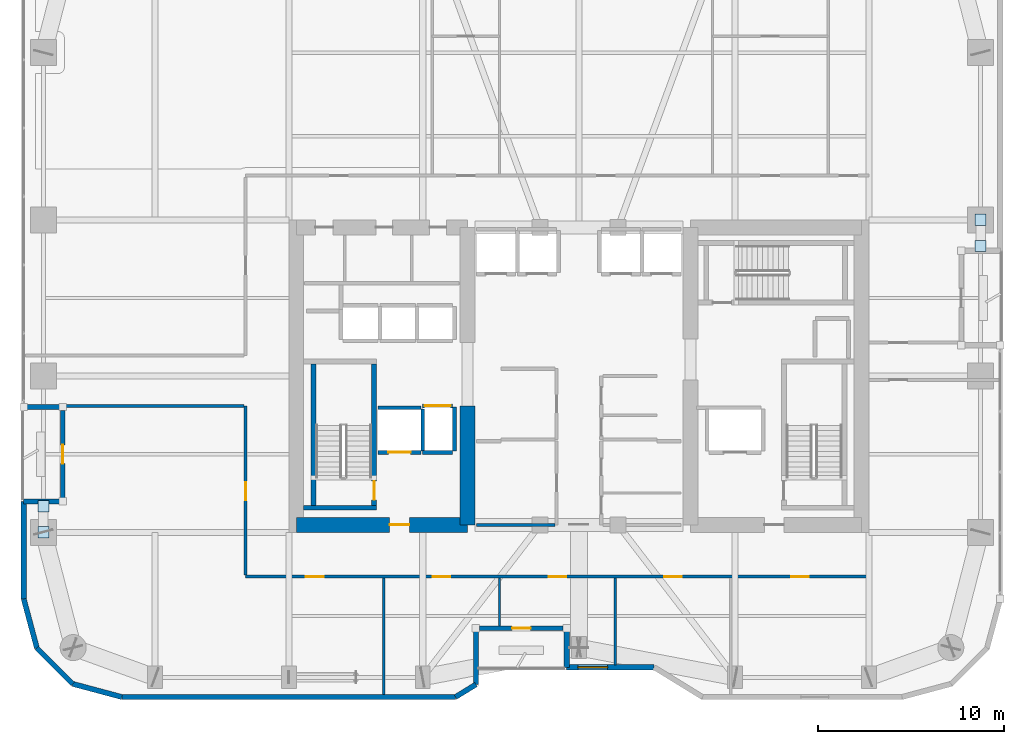
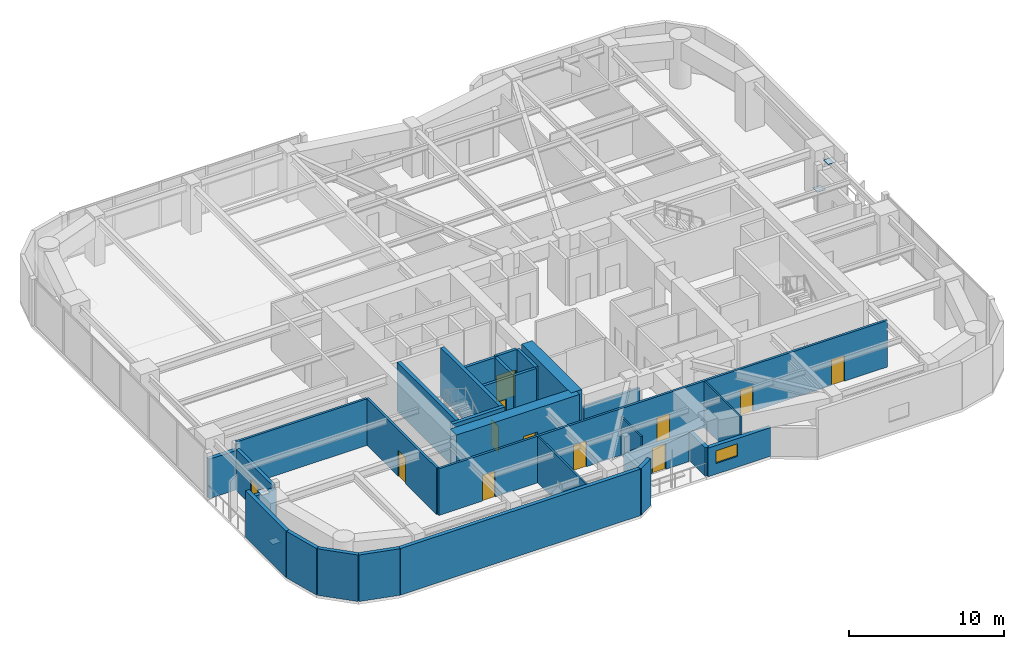
# One storey, part 24 of 30: 31 walls, 12 doors, 4 plates, 1 window, 13 openings.
"""IFC4 building model written with IfcOpenShell, lengths in metres."""

from ifc_helpers import new_model, si_unit, direction, frame, frame_2d, origin, origin_2d, place, context, subcontext, project, spatial, rectangle, extrude, material, layer, layer_set, type_object, element, fill, save


model = new_model("IFC4")

# Units and contexts
model_context = context("Model", 3, precision=1e-05, world=origin(), true_north=direction((0.0, 1.0)))
body_context = subcontext(model_context, "Body", "Model", "MODEL_VIEW")
ifc_project = project(units=[si_unit("LENGTHUNIT", "METRE"), si_unit("AREAUNIT", "SQUARE_METRE"), si_unit("VOLUMEUNIT", "CUBIC_METRE"), si_unit("PLANEANGLEUNIT", "RADIAN"), si_unit("MASSUNIT", "GRAM", prefix="KILO")], contexts=[model_context])

# Site, building, storey
site_placement = place(None, origin())
site = spatial("IfcSite", under=ifc_project, at=site_placement, CompositionType="ELEMENT")
building_placement = place(site_placement, origin())
building = spatial("IfcBuilding", under=site, at=building_placement, Name="Kiyonajd Concourse Tower", CompositionType="ELEMENT")
storey_placement = place(building_placement, frame((0.0, 0.0, 150.60009765625)))
storey = spatial("IfcBuildingStorey", under=building, at=storey_placement, Name="L38", CompositionType="ELEMENT", Elevation=150.60009765625)

# Plates
ifc_material_1 = material(Name="Steel ASTM A572 Grade 50", Category="steel")
ifc_layer_1 = layer(ifc_material_1, 0.028076171875)
ifc_layer_set_1 = layer_set([ifc_layer_1], Name="Steel ASTM A572 Grade 50")
plate_type = type_object("IfcPlateType", Name="PL-CAP-450", PredefinedType="USERDEFINED", material=ifc_layer_set_1)
for number, where, z_axis, x_axis, name in (
    (1, (19.199951171875, 27.595458984375, 0.27587890625), (0.0, 0.0, 1.0), (1.0, 0.0, 0.0), "L38 Hollow Brace End Cap Plate PBW"),
    (2, (19.199951171875, 29.004638671875, 3.32568359375), (0.0, 0.0, 1.0), (1.0, 0.0, 0.0), "L38 Hollow Brace Top Cap Plate PBW"),
    (3, (69.60009765625, 44.404541015625, 0.27587890625), (0.0, 0.0, 1.0), (1.0, 0.0, 0.0), "L38 Hollow Brace End Cap Plate PBE"),
    (4, (69.60009765625, 42.995361328125, 3.32568359375), (0.0, 0.0, 1.0), (1.0, 0.0, 0.0), "L38 Hollow Brace Top Cap Plate PBE"),
):
    element("IfcPlate", number, at=place(storey_placement, frame(where, z_axis=z_axis, x_axis=x_axis)), inside=storey, type_object=plate_type, Name=name, ObjectType="CAP PLATE", PredefinedType="USERDEFINED", context=body_context, shape_type="SweptSolid", body=[
        extrude(rectangle(XDim=0.60791015625, YDim=0.60791015625, at=origin_2d()), origin(), (0.0, 0.0, 1.0), 0.028076171875),
    ])

# Wall
ifc_material_2 = material(Name="Concrete C70/85", Category="concrete")
ifc_layer_2 = layer(ifc_material_2, 0.800048828125)
ifc_layer_set_2 = layer_set([ifc_layer_2], Name="Concrete C70/85")
wall_type_1 = type_object("IfcWallType", Name="WL-CORE-800", PredefinedType="SHEAR", material=ifc_layer_set_2)
wall_1_placement = place(storey_placement, frame((42.0, 28.0, 0.0), z_axis=(0.0, 0.0, 1.0), x_axis=(0.0, 1.0, 0.0)))
element("IfcWall", 5, at=wall_1_placement, inside=storey, type_object=wall_type_1, Name="L38 West Core Inner South Shear Wall", PredefinedType="SHEAR", context=body_context, shape_type="SweptSolid", body=[
    extrude(rectangle(XDim=6.39990234375, YDim=0.800048828125, at=frame_2d((3.199951171875, 0.0))), origin(), (0.0, 0.0, 1.0), 3.89990234375),
])

# Wall, opening, door
wall_2_placement = place(storey_placement, frame((32.800048828125, 28.0, 0.0), z_axis=(0.0, 0.0, 1.0), x_axis=(1.0, 0.0, 0.0)))
wall_2 = element("IfcWall", 6, at=wall_2_placement, inside=storey, type_object=wall_type_1, Name="L38 West Core South Shear Wall", PredefinedType="SHEAR", context=body_context, shape_type="SweptSolid", body=[
    extrude(rectangle(XDim=9.199951171875, YDim=0.800048828125, at=frame_2d((4.60009765625, 0.0))), origin(), (0.0, 0.0, 1.0), 3.89990234375),
])
opening_1_placement = place(wall_2_placement, frame((5.02490234375, 0.0, 0.0)))
opening_1 = element("IfcOpeningElement", 7, at=opening_1_placement, cuts=wall_2, Name="Opening DF5", PredefinedType="OPENING", context=body_context, shape_type="SweptSolid", body=[
    extrude(rectangle(XDim=1.050048828125, YDim=2.0400390625, at=frame_2d((0.52490234375, 1.02001953125))), frame((0.0, 0.409912109375, 0.0), z_axis=(0.0, -1.0, 0.0), x_axis=(1.0, 0.0, 0.0)), (0.0, 0.0, 1.0), 0.820068359375),
])
ifc_material_3 = material(Name="Brushed Stainless Steel Cab Assembly", Category="steel")
door_type_1 = type_object("IfcDoorType", Name="DR-FD45-1050", OperationType="NOTDEFINED", PredefinedType="DOOR", material=ifc_material_3)
door_1_placement = place(opening_1_placement, origin())
door_1 = element("IfcDoor", 8, at=door_1_placement, inside=storey, type_object=door_type_1, Name="L38 Firefighting Lift Lobby W Smoke Door", OperationType="SINGLE_SWING_LEFT", OverallHeight=2.0400390625, OverallWidth=1.050048828125, PredefinedType="DOOR", context=body_context, shape_type="SweptSolid", body=[
    extrude(rectangle(XDim=1.050048828125, YDim=2.0400390625, at=frame_2d((0.52490234375, 1.02001953125))), frame((0.0, 0.02490234375, 0.0), z_axis=(0.0, -1.0, 0.0), x_axis=(1.0, 0.0, 0.0)), (0.0, 0.0, 1.0), 0.050048828125),
])
fill(opening_1, door_1)

# Walls
ifc_material_4 = material(Name="Precast concrete C50/60", Category="concrete")
ifc_layer_3 = layer(ifc_material_4, 0.280029296875)
ifc_layer_set_3 = layer_set([ifc_layer_3], Name="Precast concrete C50/60")
wall_type_2 = type_object("IfcWallType", Name="WL-EXT-280", PredefinedType="SOLIDWALL", material=ifc_layer_set_3)
wall_3_placement = place(storey_placement, frame((18.848388671875, 21.37255859375, 0.0), z_axis=(0.0, 0.0, 1.0), x_axis=(-0.258672222976, 0.9659651552, 0.0)))
element("IfcWall", 9, at=wall_3_placement, inside=storey, type_object=wall_type_2, Name="L38 Exterior Concrete Frame Wall 00", PredefinedType="SOLIDWALL", context=body_context, shape_type="SweptSolid", body=[
    extrude(rectangle(XDim=2.739013671875, YDim=0.280029296875, at=frame_2d((1.36962890625, 0.0))), origin(), (0.0, 0.0, 1.0), 3.679931640625),
])
wall_4_placement = place(storey_placement, frame((18.139892578125, 24.018310546875, 0.0), z_axis=(0.0, 0.0, 1.0), x_axis=(0.0, 1.0, 0.0)))
element("IfcWall", 10, at=wall_4_placement, inside=storey, type_object=wall_type_2, Name="L38 Exterior Concrete Frame Wall 01", PredefinedType="SOLIDWALL", context=body_context, shape_type="SweptSolid", body=[
    extrude(rectangle(XDim=5.24169921875, YDim=0.280029296875, at=frame_2d((2.620849609375, 0.0))), origin(), (0.0, 0.0, 1.0), 3.679931640625),
])
for number, where, z_axis, x_axis, name in (
    (11, (18.139892578125, 29.260009765625, 0.0), (0.0, 0.0, 1.0), (1.0, 0.0, 0.0), "L38 Exterior Concrete Frame Wall 02"),
    (12, (20.239990234375, 34.340087890625, 0.0), (0.0, 0.0, 1.0), (-1.0, 0.0, 0.0), "L38 Exterior Concrete Frame Wall 04"),
):
    element("IfcWall", number, at=place(storey_placement, frame(where, z_axis=z_axis, x_axis=x_axis)), inside=storey, type_object=wall_type_2, Name=name, PredefinedType="SOLIDWALL", context=body_context, shape_type="SweptSolid", body=[
        extrude(rectangle(XDim=2.10009765625, YDim=0.280029296875, at=frame_2d((1.050048828125, 0.0))), origin(), (0.0, 0.0, 1.0), 3.115966796875),
    ])

# Wall, opening, window
wall_5_placement = place(storey_placement, frame((52.03955078125, 20.340087890625, 0.0), z_axis=(0.0, 0.0, 1.0), x_axis=(-1.0, 0.0, 0.0)))
wall_5 = element("IfcWall", 13, at=wall_5_placement, inside=storey, type_object=wall_type_2, Name="L38 Exterior Concrete Frame Wall 30", PredefinedType="SOLIDWALL", context=body_context, shape_type="SweptSolid", body=[
    extrude(rectangle(XDim=4.699462890625, YDim=0.280029296875, at=frame_2d((2.349609375, 0.0))), origin(), (0.0, 0.0, 1.0), 2.264892578125),
])
opening_2_placement = place(wall_5_placement, frame((2.5, 0.0, 0.85009765625)))
opening_2 = element("IfcOpeningElement", 14, at=opening_2_placement, cuts=wall_5, Name="Opening WN6", PredefinedType="OPENING", context=body_context, shape_type="SweptSolid", body=[
    extrude(rectangle(XDim=1.60009765625, YDim=1.0, at=frame_2d((0.800048828125, 0.5))), frame((0.0, 0.14990234375, 0.0), z_axis=(0.0, -1.0, 0.0), x_axis=(1.0, 0.0, 0.0)), (0.0, 0.0, 1.0), 0.300048828125),
])
ifc_material_5 = material(Name="Double Low-E Insulated Glass", Category="glass")
window_type = type_object("IfcWindowType", Name="WN-VIS-1600x1000", PartitioningType="SINGLE_PANEL", PredefinedType="WINDOW", material=ifc_material_5)
window_placement = place(opening_2_placement, origin())
window = element("IfcWindow", 15, at=window_placement, inside=storey, type_object=window_type, Name="L38 Modular Facade Vision Window 30", OverallHeight=1.0, OverallWidth=1.60009765625, PartitioningType="SINGLE_PANEL", PredefinedType="WINDOW", context=body_context, shape_type="SweptSolid", body=[
    extrude(rectangle(XDim=1.60009765625, YDim=1.0, at=frame_2d((0.800048828125, 0.5))), frame((0.0, 0.030029296875, 0.0), z_axis=(0.0, -1.0, 0.0), x_axis=(1.0, 0.0, 0.0)), (0.0, 0.0, 1.0), 0.06005859375),
])
fill(opening_2, window)

# Walls
wall_6_placement = place(storey_placement, frame((47.340087890625, 20.340087890625, 0.0), z_axis=(0.0, 0.0, 1.0), x_axis=(0.0, 1.0, 0.0)))
element("IfcWall", 16, at=wall_6_placement, inside=storey, type_object=wall_type_2, Name="L38 Exterior Concrete Frame Wall 31", PredefinedType="SOLIDWALL", context=body_context, shape_type="SweptSolid", body=[
    extrude(rectangle(XDim=2.099853515625, YDim=0.280029296875, at=frame_2d((1.0498046875, 0.0))), origin(), (0.0, 0.0, 1.0), 2.264892578125),
])
wall_7_placement = place(storey_placement, frame((42.4599609375, 22.43994140625, 0.0), z_axis=(0.0, 0.0, 1.0), x_axis=(0.0, -1.0, 0.0)))
element("IfcWall", 17, at=wall_7_placement, inside=storey, type_object=wall_type_2, Name="L38 Exterior Concrete Frame Wall 33", PredefinedType="SOLIDWALL", context=body_context, shape_type="SweptSolid", body=[
    extrude(rectangle(XDim=3.023681640625, YDim=0.280029296875, at=frame_2d((1.51171875, 0.0))), origin(), (0.0, 0.0, 1.0), 2.264892578125),
])
wall_8_placement = place(storey_placement, frame((42.4599609375, 19.416259765625, 0.0), z_axis=(0.0, 0.0, 1.0), x_axis=(-0.851801140441, -0.523865266212, 0.0)))
element("IfcWall", 18, at=wall_8_placement, inside=storey, type_object=wall_type_2, Name="L38 Exterior Concrete Frame Wall 34", PredefinedType="SOLIDWALL", context=body_context, shape_type="SweptSolid", body=[
    extrude(rectangle(XDim=1.291015625, YDim=0.280029296875, at=frame_2d((0.6455078125, 0.0))), origin(), (0.0, 0.0, 1.0), 3.679931640625),
])
wall_9_placement = place(storey_placement, frame((41.3603515625, 18.739990234375, 0.0), z_axis=(0.0, 0.0, 1.0), x_axis=(-1.0, 0.0, 0.0)))
element("IfcWall", 19, at=wall_9_placement, inside=storey, type_object=wall_type_2, Name="L38 Exterior Concrete Frame Wall 35", PredefinedType="SOLIDWALL", context=body_context, shape_type="SweptSolid", body=[
    extrude(rectangle(XDim=17.94189453125, YDim=0.280029296875, at=frame_2d((8.970947265625, 0.0))), origin(), (0.0, 0.0, 1.0), 3.679931640625),
])
wall_10_placement = place(storey_placement, frame((23.41845703125, 18.739990234375, 0.0), z_axis=(0.0, 0.0, 1.0), x_axis=(-0.965971118627, 0.258649952598, 0.0)))
element("IfcWall", 20, at=wall_10_placement, inside=storey, type_object=wall_type_2, Name="L38 Exterior Concrete Frame Wall 36", PredefinedType="SOLIDWALL", context=body_context, shape_type="SweptSolid", body=[
    extrude(rectangle(XDim=2.7392578125, YDim=0.280029296875, at=frame_2d((1.36962890625, 0.0))), origin(), (0.0, 0.0, 1.0), 3.679931640625),
])
wall_11_placement = place(storey_placement, frame((20.7724609375, 19.448486328125, 0.0), z_axis=(0.0, 0.0, 1.0), x_axis=(-0.707106781187, 0.707106781187, 0.0)))
element("IfcWall", 21, at=wall_11_placement, inside=storey, type_object=wall_type_2, Name="L38 Exterior Concrete Frame Wall 37", PredefinedType="SOLIDWALL", context=body_context, shape_type="SweptSolid", body=[
    extrude(rectangle(XDim=2.720947265625, YDim=0.280029296875, at=frame_2d((1.3603515625, 0.0))), origin(), (0.0, 0.0, 1.0), 3.679931640625),
])

# Wall, opening, door
ifc_layer_4 = layer(ifc_material_4, 0.239990234375)
ifc_layer_set_4 = layer_set([ifc_layer_4], Name="Precast concrete C50/60")
wall_type_3 = type_object("IfcWallType", Name="WL-LOG-240", PredefinedType="SOLIDWALL", material=ifc_layer_set_4)
wall_12_placement = place(storey_placement, frame((20.239990234375, 29.455078125, 0.0), z_axis=(0.0, 0.0, 1.0), x_axis=(0.0, 1.0, 0.0)))
wall_12 = element("IfcWall", 22, at=wall_12_placement, inside=storey, type_object=wall_type_3, Name="L38 Recessed Loggia Thermal Wall LOG-W", PredefinedType="SOLIDWALL", context=body_context, shape_type="SweptSolid", body=[
    extrude(rectangle(XDim=4.68994140625, YDim=0.239990234375, at=frame_2d((2.344970703125, 0.0))), origin(), (0.0, 0.0, 1.0), 3.247802734375),
])
opening_3_placement = place(wall_12_placement, frame((1.844970703125, 0.0, 0.0)))
opening_3 = element("IfcOpeningElement", 23, at=opening_3_placement, cuts=wall_12, Name="Opening DL1", PredefinedType="OPENING", context=body_context, shape_type="SweptSolid", body=[
    extrude(rectangle(XDim=1.0, YDim=2.02001953125, at=frame_2d((0.5, 1.010009765625))), frame((0.0, 0.1298828125, 0.0), z_axis=(0.0, -1.0, 0.0), x_axis=(1.0, 0.0, 0.0)), (0.0, 0.0, 1.0), 0.260009765625),
])
ifc_material_6 = material(Name="Thermally Broken Anodised Aluminium", Category="aluminium")
door_type_2 = type_object("IfcDoorType", Name="DR-LOG-1000", OperationType="NOTDEFINED", PredefinedType="DOOR", material=ifc_material_6)
door_2_placement = place(opening_3_placement, origin())
door_2 = element("IfcDoor", 24, at=door_2_placement, inside=storey, type_object=door_type_2, Name="L38 Engawa Loggia Access Door LOG-W", OperationType="SINGLE_SWING_LEFT", OverallHeight=2.02001953125, OverallWidth=1.0, PredefinedType="DOOR", context=body_context, shape_type="SweptSolid", body=[
    extrude(rectangle(XDim=1.0, YDim=2.02001953125, at=frame_2d((0.5, 1.010009765625))), frame((0.0, 0.02490234375, 0.0), z_axis=(0.0, -1.0, 0.0), x_axis=(1.0, 0.0, 0.0)), (0.0, 0.0, 1.0), 0.050048828125),
])
fill(opening_3, door_2)

wall_13_placement = place(storey_placement, frame((47.14501953125, 22.43994140625, 0.0), z_axis=(0.0, 0.0, 1.0), x_axis=(-1.0, 0.0, 0.0)))
wall_13 = element("IfcWall", 25, at=wall_13_placement, inside=storey, type_object=wall_type_3, Name="L38 Recessed Loggia Thermal Wall LOG-S", PredefinedType="SOLIDWALL", context=body_context, shape_type="SweptSolid", body=[
    extrude(rectangle(XDim=4.489990234375, YDim=0.239990234375, at=frame_2d((2.2451171875, 0.0))), origin(), (0.0, 0.0, 1.0), 2.21484375),
])
opening_4_placement = place(wall_13_placement, frame((1.7451171875, 0.0, 0.0)))
opening_4 = element("IfcOpeningElement", 26, at=opening_4_placement, cuts=wall_13, Name="Opening DL1", PredefinedType="OPENING", context=body_context, shape_type="SweptSolid", body=[
    extrude(rectangle(XDim=1.0, YDim=2.02001953125, at=frame_2d((0.5, 1.010009765625))), frame((0.0, 0.1298828125, 0.0), z_axis=(0.0, -1.0, 0.0), x_axis=(1.0, 0.0, 0.0)), (0.0, 0.0, 1.0), 0.260009765625),
])
door_3_placement = place(opening_4_placement, origin())
door_3 = element("IfcDoor", 27, at=door_3_placement, inside=storey, type_object=door_type_2, Name="L38 Engawa Loggia Access Door LOG-S", OperationType="SINGLE_SWING_RIGHT", OverallHeight=2.02001953125, OverallWidth=1.0, PredefinedType="DOOR", context=body_context, shape_type="SweptSolid", body=[
    extrude(rectangle(XDim=1.0, YDim=2.02001953125, at=frame_2d((0.5, 1.010009765625))), frame((0.0, 0.02490234375, 0.0), z_axis=(0.0, -1.0, 0.0), x_axis=(1.0, 0.0, 0.0)), (0.0, 0.0, 1.0), 0.050048828125),
])
fill(opening_4, door_3)

# Walls
ifc_material_7 = material(Name="Gypsum Board on Cold-Formed Steel Stud", Category="steel")
ifc_layer_5 = layer(ifc_material_7, 0.125)
ifc_layer_set_5 = layer_set([ifc_layer_5], Name="Gypsum Board on Cold-Formed Steel Stud")
wall_type_4 = type_object("IfcWallType", Name="WL-PART-125", PredefinedType="PARTITIONING", material=ifc_layer_set_5)
wall_14_placement = place(storey_placement, frame((37.5, 18.875, 0.0), z_axis=(0.0, 0.0, 1.0), x_axis=(0.0, 1.0, 0.0)))
element("IfcWall", 28, at=wall_14_placement, inside=storey, type_object=wall_type_4, Name="L38 Interior Partition Wall", PredefinedType="PARTITIONING", context=body_context, shape_type="SweptSolid", body=[
    extrude(rectangle(XDim=6.258056640625, YDim=0.125, at=frame_2d((3.12890625, 0.0))), origin(), (0.0, 0.0, 1.0), 3.679931640625),
])
wall_15_placement = place(storey_placement, frame((43.72998046875, 22.554931640625, 0.0), z_axis=(0.0, 0.0, 1.0), x_axis=(0.0, 1.0, 0.0)))
element("IfcWall", 29, at=wall_15_placement, inside=storey, type_object=wall_type_4, Name="L38 Interior Partition Wall", PredefinedType="PARTITIONING", context=body_context, shape_type="SweptSolid", body=[
    extrude(rectangle(XDim=2.578125, YDim=0.125, at=frame_2d((1.2890625, 0.0))), origin(), (0.0, 0.0, 1.0), 3.04296875),
])
wall_16_placement = place(storey_placement, frame((49.949951171875, 20.47509765625, 0.0), z_axis=(0.0, 0.0, 1.0), x_axis=(0.0, 1.0, 0.0)))
element("IfcWall", 30, at=wall_16_placement, inside=storey, type_object=wall_type_4, Name="L38 Interior Partition Wall", PredefinedType="PARTITIONING", context=body_context, shape_type="SweptSolid", body=[
    extrude(rectangle(XDim=4.657958984375, YDim=0.125, at=frame_2d((2.3291015625, 0.0))), origin(), (0.0, 0.0, 1.0), 3.679931640625),
])

# Wall, opening, door
ifc_layer_6 = layer(ifc_material_7, 0.2099609375)
ifc_layer_set_6 = layer_set([ifc_layer_6], Name="Gypsum Board on Cold-Formed Steel Stud")
wall_type_5 = type_object("IfcWallType", Name="WL-SHAFT-210", PredefinedType="PARTITIONING", material=ifc_layer_set_6)
wall_17_placement = place(storey_placement, frame((37.199951171875, 31.89990234375, 0.0), z_axis=(0.0, 0.0, 1.0), x_axis=(1.0, 0.0, 0.0)))
wall_17 = element("IfcWall", 31, at=wall_17_placement, inside=storey, type_object=wall_type_5, Name="L38 Shaft Enclosure Wall", PredefinedType="PARTITIONING", context=body_context, shape_type="SweptSolid", body=[
    extrude(rectangle(XDim=2.300048828125, YDim=0.2099609375, at=frame_2d((1.14990234375, 0.0))), origin(), (0.0, 0.0, 1.0), 3.679931640625),
])
opening_5_placement = place(wall_17_placement, frame((0.550048828125, 0.0, 0.0)))
opening_5 = element("IfcOpeningElement", 32, at=opening_5_placement, cuts=wall_17, Name="Opening LD2", PredefinedType="OPENING", context=body_context, shape_type="SweptSolid", body=[
    extrude(rectangle(XDim=1.199951171875, YDim=2.0400390625, at=frame_2d((0.60009765625, 1.02001953125))), frame((0.0, 0.114990234375, 0.0), z_axis=(0.0, -1.0, 0.0), x_axis=(1.0, 0.0, 0.0)), (0.0, 0.0, 1.0), 0.22998046875),
])
door_type_3 = type_object("IfcDoorType", Name="DR-LD-1200", OperationType="DOUBLE_DOOR_SLIDING", PredefinedType="DOOR", material=ifc_material_3)
door_4_placement = place(opening_5_placement, origin())
door_4 = element("IfcDoor", 33, at=door_4_placement, inside=storey, type_object=door_type_3, Name="L38 Lift FFL1 Sliding Landing Door", OperationType="DOUBLE_DOOR_SLIDING", OverallHeight=2.0400390625, OverallWidth=1.199951171875, PredefinedType="DOOR", context=body_context, shape_type="SweptSolid", body=[
    extrude(rectangle(XDim=1.199951171875, YDim=2.0400390625, at=frame_2d((0.60009765625, 1.02001953125))), frame((0.0, 0.02490234375, 0.0), z_axis=(0.0, -1.0, 0.0), x_axis=(1.0, 0.0, 0.0)), (0.0, 0.0, 1.0), 0.050048828125),
])
fill(opening_5, door_4)

# Walls
wall_18_placement = place(storey_placement, frame((37.199951171875, 34.300048828125, 0.0), z_axis=(0.0, 0.0, 1.0), x_axis=(1.0, 0.0, 0.0)))
element("IfcWall", 34, at=wall_18_placement, inside=storey, type_object=wall_type_5, Name="L38 Shaft Enclosure Wall", PredefinedType="PARTITIONING", context=body_context, shape_type="SweptSolid", body=[
    extrude(rectangle(XDim=2.300048828125, YDim=0.2099609375, at=frame_2d((1.14990234375, 0.0))), origin(), (0.0, 0.0, 1.0), 3.679931640625),
])
wall_19_placement = place(storey_placement, frame((39.60009765625, 31.9599609375, 0.0), z_axis=(0.0, 0.0, 1.0), x_axis=(0.0, 1.0, 0.0)))
element("IfcWall", 35, at=wall_19_placement, inside=storey, type_object=wall_type_5, Name="L38 Shaft Enclosure Wall", PredefinedType="PARTITIONING", context=body_context, shape_type="SweptSolid", body=[
    extrude(rectangle(XDim=2.280029296875, YDim=0.2099609375, at=frame_2d((1.14013671875, 0.0))), origin(), (0.0, 0.0, 1.0), 3.679931640625),
])

# Wall, opening, door
wall_20_placement = place(storey_placement, frame((39.60009765625, 34.39990234375, 0.0), z_axis=(0.0, 0.0, 1.0), x_axis=(1.0, 0.0, 0.0)))
wall_20 = element("IfcWall", 36, at=wall_20_placement, inside=storey, type_object=wall_type_5, Name="L38 Shaft Enclosure Wall", PredefinedType="PARTITIONING", context=body_context, shape_type="SweptSolid", body=[
    extrude(rectangle(XDim=1.599853515625, YDim=0.2099609375, at=frame_2d((0.7998046875, 0.0))), origin(), (0.0, 0.0, 1.0), 3.679931640625),
])
opening_6_placement = place(wall_20_placement, frame((0.10009765625, 0.0, 0.0)))
opening_6 = element("IfcOpeningElement", 37, at=opening_6_placement, cuts=wall_20, Name="Opening LD3", PredefinedType="OPENING", context=body_context, shape_type="SweptSolid", body=[
    extrude(rectangle(XDim=1.39990234375, YDim=2.06005859375, at=frame_2d((0.699951171875, 1.030029296875))), frame((0.0, 0.114990234375, 0.0), z_axis=(0.0, -1.0, 0.0), x_axis=(1.0, 0.0, 0.0)), (0.0, 0.0, 1.0), 0.22998046875),
])
door_type_4 = type_object("IfcDoorType", Name="DR-LD-1400", OperationType="DOUBLE_DOOR_SLIDING", PredefinedType="DOOR", material=ifc_material_3)
door_5_placement = place(opening_6_placement, origin())
door_5 = element("IfcDoor", 38, at=door_5_placement, inside=storey, type_object=door_type_4, Name="L38 Lift SVL1 Sliding Landing Door", OperationType="DOUBLE_DOOR_SLIDING", OverallHeight=2.06005859375, OverallWidth=1.39990234375, PredefinedType="DOOR", context=body_context, shape_type="SweptSolid", body=[
    extrude(rectangle(XDim=1.39990234375, YDim=2.06005859375, at=frame_2d((0.699951171875, 1.030029296875))), frame((0.0, 0.02490234375, 0.0), z_axis=(0.0, -1.0, 0.0), x_axis=(1.0, 0.0, 0.0)), (0.0, 0.0, 1.0), 0.050048828125),
])
fill(opening_6, door_5)

# Walls
wall_21_placement = place(storey_placement, frame((39.60009765625, 31.89990234375, 0.0), z_axis=(0.0, 0.0, 1.0), x_axis=(1.0, 0.0, 0.0)))
element("IfcWall", 39, at=wall_21_placement, inside=storey, type_object=wall_type_5, Name="L38 Shaft Enclosure Wall", PredefinedType="PARTITIONING", context=body_context, shape_type="SweptSolid", body=[
    extrude(rectangle(XDim=1.599853515625, YDim=0.2099609375, at=frame_2d((0.7998046875, 0.0))), origin(), (0.0, 0.0, 1.0), 3.679931640625),
])
wall_22_placement = place(storey_placement, frame((41.300048828125, 31.9599609375, 0.0), z_axis=(0.0, 0.0, 1.0), x_axis=(0.0, 1.0, 0.0)))
element("IfcWall", 40, at=wall_22_placement, inside=storey, type_object=wall_type_5, Name="L38 Shaft Enclosure Wall", PredefinedType="PARTITIONING", context=body_context, shape_type="SweptSolid", body=[
    extrude(rectangle(XDim=2.380126953125, YDim=0.2099609375, at=frame_2d((1.18994140625, 0.0))), origin(), (0.0, 0.0, 1.0), 3.679931640625),
])
ifc_layer_7 = layer(ifc_material_7, 0.169921875)
ifc_layer_set_7 = layer_set([ifc_layer_7], Name="Gypsum Board on Cold-Formed Steel Stud")
wall_type_6 = type_object("IfcWallType", Name="WL-SMK-170", PredefinedType="PARTITIONING", material=ifc_layer_set_7)
wall_23_placement = place(storey_placement, frame((42.5, 28.0, 0.0), z_axis=(0.0, 0.0, 1.0), x_axis=(1.0, 0.0, 0.0)))
element("IfcWall", 41, at=wall_23_placement, inside=storey, type_object=wall_type_6, Name="L38 Interior Partition Wall", PredefinedType="PARTITIONING", context=body_context, shape_type="SweptSolid", body=[
    extrude(rectangle(XDim=4.212890625, YDim=0.169921875, at=frame_2d((2.1064453125, 0.0))), origin(), (0.0, 0.0, 1.0), 2.56494140625),
])

# Wall, openings, doors
wall_24_placement = place(storey_placement, frame((30.074951171875, 25.219970703125, 0.0), z_axis=(0.0, 0.0, 1.0), x_axis=(1.0, 0.0, 0.0)))
wall_24 = element("IfcWall", 42, at=wall_24_placement, inside=storey, type_object=wall_type_6, Name="L38 Interior Partition Wall", PredefinedType="PARTITIONING", context=body_context, shape_type="SweptSolid", body=[
    extrude(rectangle(XDim=33.525146484375, YDim=0.169921875, at=frame_2d((16.7626953125, 0.0))), origin(), (0.0, 0.0, 1.0), 3.679931640625),
])
opening_7_placement = place(wall_24_placement, frame((3.238037109375, 0.0, 0.0)))
opening_7 = element("IfcOpeningElement", 43, at=opening_7_placement, cuts=wall_24, Name="Opening DI1", PredefinedType="OPENING", context=body_context, shape_type="SweptSolid", body=[
    extrude(rectangle(XDim=0.949951171875, YDim=2.0400390625, at=frame_2d((0.47509765625, 1.02001953125))), frame((0.0, 0.094970703125, 0.0), z_axis=(0.0, -1.0, 0.0), x_axis=(1.0, 0.0, 0.0)), (0.0, 0.0, 1.0), 0.18994140625),
])
opening_8_placement = place(wall_24_placement, frame((10.06494140625, 0.0, 0.0)))
opening_8 = element("IfcOpeningElement", 44, at=opening_8_placement, cuts=wall_24, Name="Opening DI1", PredefinedType="OPENING", context=body_context, shape_type="SweptSolid", body=[
    extrude(rectangle(XDim=0.949951171875, YDim=2.0400390625, at=frame_2d((0.47509765625, 1.02001953125))), frame((0.0, 0.094970703125, 0.0), z_axis=(0.0, -1.0, 0.0), x_axis=(1.0, 0.0, 0.0)), (0.0, 0.0, 1.0), 0.18994140625),
])
opening_9_placement = place(wall_24_placement, frame((16.2900390625, 0.0, 0.0)))
opening_9 = element("IfcOpeningElement", 45, at=opening_9_placement, cuts=wall_24, Name="Opening DI1", PredefinedType="OPENING", context=body_context, shape_type="SweptSolid", body=[
    extrude(rectangle(XDim=0.949951171875, YDim=2.0400390625, at=frame_2d((0.47509765625, 1.02001953125))), frame((0.0, 0.094970703125, 0.0), z_axis=(0.0, -1.0, 0.0), x_axis=(1.0, 0.0, 0.0)), (0.0, 0.0, 1.0), 0.18994140625),
])
opening_10_placement = place(wall_24_placement, frame((22.510009765625, 0.0, 0.0)))
opening_10 = element("IfcOpeningElement", 46, at=opening_10_placement, cuts=wall_24, Name="Opening DI1", PredefinedType="OPENING", context=body_context, shape_type="SweptSolid", body=[
    extrude(rectangle(XDim=0.949951171875, YDim=2.0400390625, at=frame_2d((0.47509765625, 1.02001953125))), frame((0.0, 0.094970703125, 0.0), z_axis=(0.0, -1.0, 0.0), x_axis=(1.0, 0.0, 0.0)), (0.0, 0.0, 1.0), 0.18994140625),
])
opening_11_placement = place(wall_24_placement, frame((29.3349609375, 0.0, 0.0)))
opening_11 = element("IfcOpeningElement", 47, at=opening_11_placement, cuts=wall_24, Name="Opening DI1", PredefinedType="OPENING", context=body_context, shape_type="SweptSolid", body=[
    extrude(rectangle(XDim=0.949951171875, YDim=2.0400390625, at=frame_2d((0.47509765625, 1.02001953125))), frame((0.0, 0.094970703125, 0.0), z_axis=(0.0, -1.0, 0.0), x_axis=(1.0, 0.0, 0.0)), (0.0, 0.0, 1.0), 0.18994140625),
])
ifc_material_8 = material(Name="Natural Oak Acoustic Timber Veneer", Category="wood")
door_type_5 = type_object("IfcDoorType", Name="DR-INT-950", OperationType="NOTDEFINED", PredefinedType="DOOR", material=ifc_material_8)
door_6_placement = place(opening_7_placement, origin())
door_6 = element("IfcDoor", 48, at=door_6_placement, inside=storey, type_object=door_type_5, Name="L38 Interior Door", OperationType="SINGLE_SWING_LEFT", OverallHeight=2.0400390625, OverallWidth=0.949951171875, PredefinedType="DOOR", context=body_context, shape_type="SweptSolid", body=[
    extrude(rectangle(XDim=0.949951171875, YDim=2.0400390625, at=frame_2d((0.47509765625, 1.02001953125))), frame((0.0, 0.02490234375, 0.0), z_axis=(0.0, -1.0, 0.0), x_axis=(1.0, 0.0, 0.0)), (0.0, 0.0, 1.0), 0.050048828125),
])
fill(opening_7, door_6)
door_7_placement = place(opening_8_placement, origin())
door_7 = element("IfcDoor", 49, at=door_7_placement, inside=storey, type_object=door_type_5, Name="L38 Interior Door", OperationType="SINGLE_SWING_RIGHT", OverallHeight=2.0400390625, OverallWidth=0.949951171875, PredefinedType="DOOR", context=body_context, shape_type="SweptSolid", body=[
    extrude(rectangle(XDim=0.949951171875, YDim=2.0400390625, at=frame_2d((0.47509765625, 1.02001953125))), frame((0.0, 0.02490234375, 0.0), z_axis=(0.0, -1.0, 0.0), x_axis=(1.0, 0.0, 0.0)), (0.0, 0.0, 1.0), 0.050048828125),
])
fill(opening_8, door_7)
door_8_placement = place(opening_9_placement, origin())
door_8 = element("IfcDoor", 50, at=door_8_placement, inside=storey, type_object=door_type_5, Name="L38 Interior Door", OperationType="SINGLE_SWING_LEFT", OverallHeight=2.0400390625, OverallWidth=0.949951171875, PredefinedType="DOOR", context=body_context, shape_type="SweptSolid", body=[
    extrude(rectangle(XDim=0.949951171875, YDim=2.0400390625, at=frame_2d((0.47509765625, 1.02001953125))), frame((0.0, 0.02490234375, 0.0), z_axis=(0.0, -1.0, 0.0), x_axis=(1.0, 0.0, 0.0)), (0.0, 0.0, 1.0), 0.050048828125),
])
fill(opening_9, door_8)
door_9_placement = place(opening_10_placement, origin())
door_9 = element("IfcDoor", 51, at=door_9_placement, inside=storey, type_object=door_type_5, Name="L38 Interior Door", OperationType="SINGLE_SWING_RIGHT", OverallHeight=2.0400390625, OverallWidth=0.949951171875, PredefinedType="DOOR", context=body_context, shape_type="SweptSolid", body=[
    extrude(rectangle(XDim=0.949951171875, YDim=2.0400390625, at=frame_2d((0.47509765625, 1.02001953125))), frame((0.0, 0.02490234375, 0.0), z_axis=(0.0, -1.0, 0.0), x_axis=(1.0, 0.0, 0.0)), (0.0, 0.0, 1.0), 0.050048828125),
])
fill(opening_10, door_9)
door_10_placement = place(opening_11_placement, origin())
door_10 = element("IfcDoor", 52, at=door_10_placement, inside=storey, type_object=door_type_5, Name="L38 Interior Door", OperationType="SINGLE_SWING_LEFT", OverallHeight=2.0400390625, OverallWidth=0.949951171875, PredefinedType="DOOR", context=body_context, shape_type="SweptSolid", body=[
    extrude(rectangle(XDim=0.949951171875, YDim=2.0400390625, at=frame_2d((0.47509765625, 1.02001953125))), frame((0.0, 0.02490234375, 0.0), z_axis=(0.0, -1.0, 0.0), x_axis=(1.0, 0.0, 0.0)), (0.0, 0.0, 1.0), 0.050048828125),
])
fill(opening_11, door_10)

# Wall, opening, door
wall_25_placement = place(storey_placement, frame((30.074951171875, 25.306884765625, 0.0), z_axis=(0.0, 0.0, 1.0), x_axis=(0.0, 1.0, 0.0)))
wall_25 = element("IfcWall", 53, at=wall_25_placement, inside=storey, type_object=wall_type_6, Name="L38 Interior Partition Wall", PredefinedType="PARTITIONING", context=body_context, shape_type="SweptSolid", body=[
    extrude(rectangle(XDim=9.093017578125, YDim=0.169921875, at=frame_2d((4.54638671875, 0.0))), origin(), (0.0, 0.0, 1.0), 3.679931640625),
])
opening_12_placement = place(wall_25_placement, frame((4.028076171875, 0.0, 0.0)))
opening_12 = element("IfcOpeningElement", 54, at=opening_12_placement, cuts=wall_25, Name="Opening DI1", PredefinedType="OPENING", context=body_context, shape_type="SweptSolid", body=[
    extrude(rectangle(XDim=0.949951171875, YDim=2.0400390625, at=frame_2d((0.47509765625, 1.02001953125))), frame((0.0, 0.094970703125, 0.0), z_axis=(0.0, -1.0, 0.0), x_axis=(1.0, 0.0, 0.0)), (0.0, 0.0, 1.0), 0.18994140625),
])
door_11_placement = place(opening_12_placement, origin())
door_11 = element("IfcDoor", 55, at=door_11_placement, inside=storey, type_object=door_type_5, Name="L38 Interior Door", OperationType="SINGLE_SWING_LEFT", OverallHeight=2.0400390625, OverallWidth=0.949951171875, PredefinedType="DOOR", context=body_context, shape_type="SweptSolid", body=[
    extrude(rectangle(XDim=0.949951171875, YDim=2.0400390625, at=frame_2d((0.47509765625, 1.02001953125))), frame((0.0, 0.02490234375, 0.0), z_axis=(0.0, -1.0, 0.0), x_axis=(1.0, 0.0, 0.0)), (0.0, 0.0, 1.0), 0.050048828125),
])
fill(opening_12, door_11)

# Walls
wall_26_placement = place(storey_placement, frame((20.239990234375, 34.39990234375, 0.0), z_axis=(0.0, 0.0, 1.0), x_axis=(1.0, 0.0, 0.0)))
element("IfcWall", 56, at=wall_26_placement, inside=storey, type_object=wall_type_6, Name="L38 Interior Partition Wall", PredefinedType="PARTITIONING", context=body_context, shape_type="SweptSolid", body=[
    extrude(rectangle(XDim=9.748046875, YDim=0.169921875, at=frame_2d((4.8740234375, 0.0))), origin(), (0.0, 0.0, 1.0), 3.679931640625),
])
ifc_material_9 = material(Name="Concrete C50/60", Category="concrete")
ifc_layer_8 = layer(ifc_material_9, 0.260009765625)
ifc_layer_set_8 = layer_set([ifc_layer_8], Name="Concrete C50/60")
wall_type_7 = type_object("IfcWallType", Name="WL-STAIR-260", PredefinedType="SHEAR", material=ifc_layer_set_8)
wall_27_placement = place(storey_placement, frame((33.199951171875, 28.919921875, 0.0), z_axis=(0.0, 0.0, 1.0), x_axis=(1.0, 0.0, 0.0)))
element("IfcWall", 57, at=wall_27_placement, inside=storey, type_object=wall_type_7, Name="L38 Stair ST1 Structural South Wall", PredefinedType="SHEAR", context=body_context, shape_type="SweptSolid", body=[
    extrude(rectangle(XDim=3.91015625, YDim=0.260009765625, at=frame_2d((1.955078125, 0.0))), origin(), (0.0, 0.0, 1.0), 3.89990234375),
])
wall_28_placement = place(storey_placement, frame((33.719970703125, 29.050048828125, 0.0), z_axis=(0.0, 0.0, 1.0), x_axis=(0.0, 1.0, 0.0)))
element("IfcWall", 58, at=wall_28_placement, inside=storey, type_object=wall_type_7, Name="L38 Stair ST1 Structural West Wall", PredefinedType="SHEAR", context=body_context, shape_type="SweptSolid", body=[
    extrude(rectangle(XDim=7.599853515625, YDim=0.260009765625, at=frame_2d((3.7998046875, 0.0))), origin(), (0.0, 0.0, 1.0), 3.89990234375),
])

# Wall, opening, door
wall_29_placement = place(storey_placement, frame((36.97998046875, 29.050048828125, 0.0), z_axis=(0.0, 0.0, 1.0), x_axis=(0.0, 1.0, 0.0)))
wall_29 = element("IfcWall", 59, at=wall_29_placement, inside=storey, type_object=wall_type_7, Name="L38 Stair ST1 Structural East Wall", PredefinedType="SHEAR", context=body_context, shape_type="SweptSolid", body=[
    extrude(rectangle(XDim=7.599853515625, YDim=0.260009765625, at=frame_2d((3.7998046875, 0.0))), origin(), (0.0, 0.0, 1.0), 3.89990234375),
])
opening_13_placement = place(wall_29_placement, frame((0.300048828125, 0.0, 0.0)))
opening_13 = element("IfcOpeningElement", 60, at=opening_13_placement, cuts=wall_29, Name="Opening DF1", PredefinedType="OPENING", context=body_context, shape_type="SweptSolid", body=[
    extrude(rectangle(XDim=1.0, YDim=2.0400390625, at=frame_2d((0.5, 1.02001953125))), frame((0.0, 0.139892578125, 0.0), z_axis=(0.0, -1.0, 0.0), x_axis=(1.0, 0.0, 0.0)), (0.0, 0.0, 1.0), 0.280029296875),
])
door_type_6 = type_object("IfcDoorType", Name="DR-FD90-1000", OperationType="NOTDEFINED", PredefinedType="DOOR", material=ifc_material_3)
door_12_placement = place(opening_13_placement, origin())
door_12 = element("IfcDoor", 61, at=door_12_placement, inside=storey, type_object=door_type_6, Name="L38 Stair ST1 FSAE Door", OperationType="SINGLE_SWING_LEFT", OverallHeight=2.0400390625, OverallWidth=1.0, PredefinedType="DOOR", context=body_context, shape_type="SweptSolid", body=[
    extrude(rectangle(XDim=1.0, YDim=2.0400390625, at=frame_2d((0.5, 1.02001953125))), frame((0.0, 0.02490234375, 0.0), z_axis=(0.0, -1.0, 0.0), x_axis=(1.0, 0.0, 0.0)), (0.0, 0.0, 1.0), 0.050048828125),
])
fill(opening_13, door_12)

save(model, "model.ifc")
